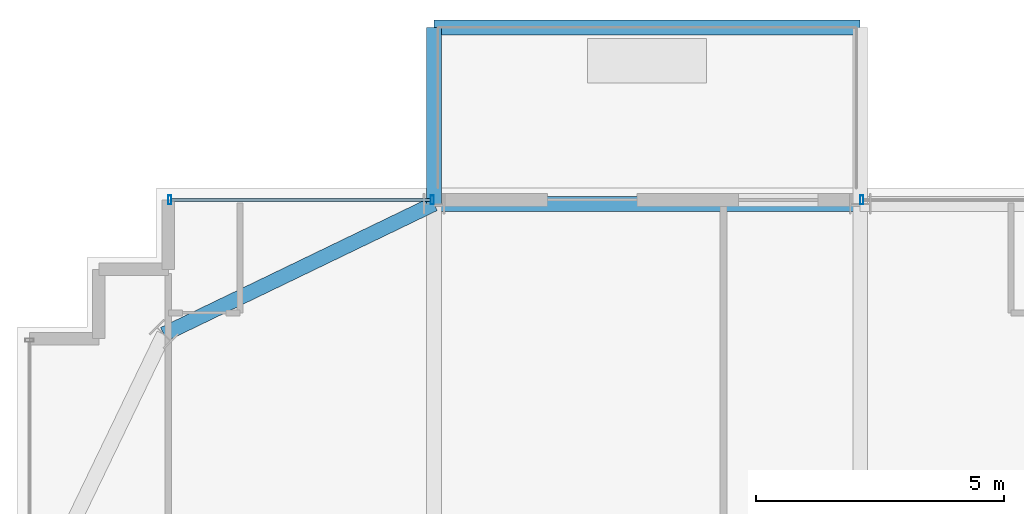
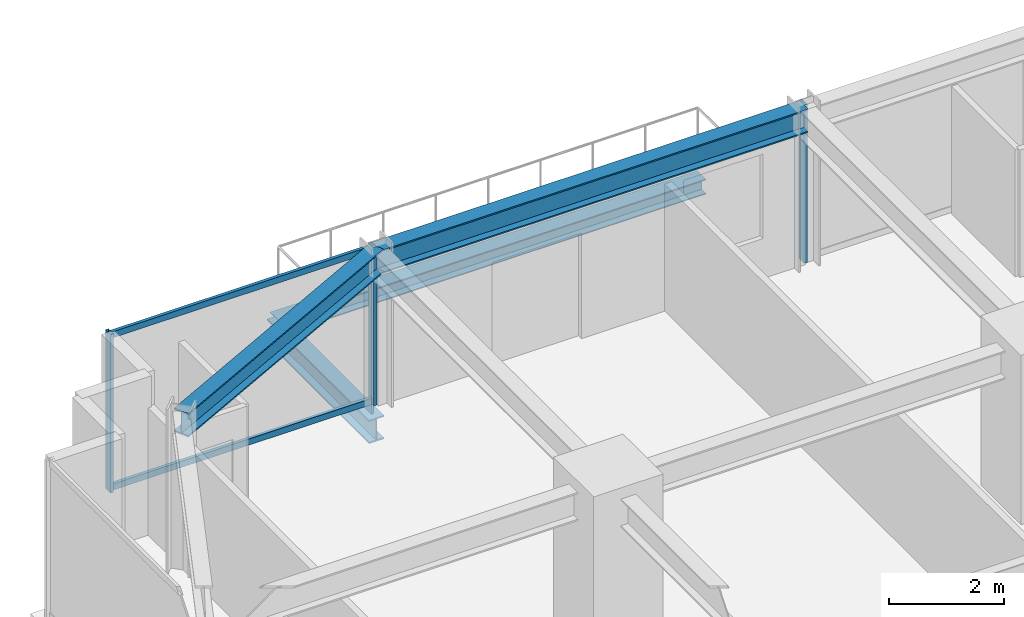
# One storey, part 22 of 36: 5 members, 4 beams, 2 elements without a shape of their own.
"""IFC4 building model written with IfcOpenShell, lengths in metres."""

from ifc_helpers import new_model, si_unit, direction, frame, origin, origin_2d, place, context, subcontext, project, spatial, hollow_rectangle, i_section, extrude, source, transform, mapped, material, material_profile, profile_set, type_object, element, aggregate, save


model = new_model("IFC4")

# Units and contexts
model_context = context("Model", 3, precision=1e-05, world=origin(), true_north=direction((0.0, 1.0)))
body_context = subcontext(model_context, "Body", "Model", "MODEL_VIEW")
ifc_project = project(units=[si_unit("LENGTHUNIT", "METRE"), si_unit("AREAUNIT", "SQUARE_METRE"), si_unit("VOLUMEUNIT", "CUBIC_METRE"), si_unit("PLANEANGLEUNIT", "RADIAN"), si_unit("MASSUNIT", "GRAM", prefix="KILO")], contexts=[model_context])

# Site, building, storey
site_placement = place(None, origin())
site = spatial("IfcSite", under=ifc_project, at=site_placement, CompositionType="ELEMENT")
building_placement = place(site_placement, origin())
building = spatial("IfcBuilding", under=site, at=building_placement, Name="Nahalor Promenade Grand Hotel", CompositionType="ELEMENT")
storey_placement = place(building_placement, frame((0.0, 0.0, 76.199951171875)))
storey = spatial("IfcBuildingStorey", under=building, at=storey_placement, Name="L18", CompositionType="ELEMENT", Elevation=76.199951171875)

# Beams
ifc_material_1 = material(Name="Steel S355JR", Category="steel")
ifc_material_profile_1 = material_profile(ifc_material_1, i_section(OverallWidth=0.3, OverallDepth=0.5, WebThickness=0.0145, FlangeThickness=0.028, at=origin_2d()), Name="HEB 500")
ifc_profile_set_1 = profile_set([ifc_material_profile_1], Name="Steel S355JR")
beam_type_1 = type_object("IfcBeamType", Name="Beam-Outrigger-HEB500", PredefinedType="BEAM", material=ifc_profile_set_1)
shared_shape_1 = source(origin(), body_context, "Body", "SweptSolid", [
    extrude(i_section(OverallWidth=0.3, OverallDepth=0.5, WebThickness=0.0145, FlangeThickness=0.028, at=origin_2d()), origin(), (0.0, 0.0, 1.0), 3.559814453125),
])
beam_1_placement = place(storey_placement, frame((-17.0, 25.080078125, -0.530029296875), z_axis=(0.0, 1.0, 0.0), x_axis=(-1.0, 0.0, 0.0)))
element("IfcBeam", 1, at=beam_1_placement, inside=storey, type_object=beam_type_1, Name="BM-L18-BC-01-1", PredefinedType="BEAM", context=body_context, shape_type="MappedRepresentation", body=[
    mapped(shared_shape_1, transform((0.0, 0.0, 0.0), scale=1.0)),
])
ifc_material_profile_2 = material_profile(ifc_material_1, i_section(OverallWidth=0.3, OverallDepth=0.32, WebThickness=0.0115, FlangeThickness=0.0205, at=origin_2d()), Name="HEB 320")
ifc_profile_set_2 = profile_set([ifc_material_profile_2], Name="Steel S355JR")
beam_type_2 = type_object("IfcBeamType", Name="Beam-BalcEdge-HEB320", PredefinedType="SPANDREL", material=ifc_profile_set_2)
shared_shape_2 = source(origin(), body_context, "Body", "SweptSolid", [
    extrude(i_section(OverallWidth=0.3, OverallDepth=0.32, WebThickness=0.0115, FlangeThickness=0.0205, at=origin_2d()), origin(), (0.0, 0.0, 1.0), 8.60009765625),
])
beam_2_placement = place(storey_placement, frame((-17.0, 28.639892578125, -0.43994140625), z_axis=(1.0, 0.0, 0.0), x_axis=(0.0, 1.0, 0.0)))
element("IfcBeam", 2, at=beam_2_placement, inside=storey, type_object=beam_type_2, Name="BM-L18-BC-01-F", PredefinedType="SPANDREL", context=body_context, shape_type="MappedRepresentation", body=[
    mapped(shared_shape_2, transform((0.0, 0.0, 0.0), scale=1.0)),
])
ifc_material_profile_3 = material_profile(ifc_material_1, i_section(OverallWidth=0.3, OverallDepth=0.5, WebThickness=0.0145, FlangeThickness=0.028, at=origin_2d()), Name="HEB 500")
ifc_profile_set_3 = profile_set([ifc_material_profile_3], Name="Steel S355JR")
beam_type_3 = type_object("IfcBeamType", Name="Beam-Spandrel-HEB500", PredefinedType="SPANDREL", material=ifc_profile_set_3)
shared_shape_3 = source(origin(), body_context, "Body", "SweptSolid", [
    extrude(i_section(OverallWidth=0.3, OverallDepth=0.5, WebThickness=0.0145, FlangeThickness=0.028, at=origin_2d()), origin(), (0.0, 0.0, 1.0), 8.60009765625),
])
beam_3_placement = place(storey_placement, frame((-17.0, 25.080078125, 3.1201171875), z_axis=(1.0, 0.0, 0.0), x_axis=(0.0, 1.0, 0.0)))
element("IfcBeam", 3, at=beam_3_placement, inside=storey, type_object=beam_type_3, Name="BM-L18-SP-N-0", PredefinedType="SPANDREL", context=body_context, shape_type="MappedRepresentation", body=[
    mapped(shared_shape_3, transform((0.0, 0.0, 0.0), scale=1.0)),
])
shared_shape_4 = source(origin(), body_context, "Body", "SweptSolid", [
    extrude(i_section(OverallWidth=0.3, OverallDepth=0.5, WebThickness=0.0145, FlangeThickness=0.028, at=origin_2d()), origin(), (0.0, 0.0, 1.0), 6.051513671875),
])
beam_4_placement = place(storey_placement, frame((-17.0, 25.080078125, 3.1201171875), z_axis=(-0.900608818852, -0.434630596492, 0.0), x_axis=(0.434630596492, -0.900608818852, 0.0)))
element("IfcBeam", 4, at=beam_4_placement, inside=storey, type_object=beam_type_3, Name="BM-L18-SPC-NW-1", PredefinedType="SPANDREL", context=body_context, shape_type="MappedRepresentation", body=[
    mapped(shared_shape_4, transform((0.0, 0.0, 0.0), scale=1.0)),
])

# Curtain wall, members
ifc_material_2 = material(Name="Anodised Bronze Aluminium EN AW-6063 T6", Category="aluminium")
curtain_wall_type = type_object("IfcCurtainWallType", Name="CW2 Typical Hotel Flush Bronze Unitised Curtain Wall", PredefinedType="USERDEFINED", material=ifc_material_2)
curtain_wall_1_placement = place(storey_placement, origin())
curtain_wall_1 = element("IfcCurtainWall", 5, at=curtain_wall_1_placement, inside=storey, type_object=curtain_wall_type, Name="L18 Curtain Wall CW-L18-N-1", ObjectType="UNITISED_CURTAIN_WALL", PredefinedType="USERDEFINED")
ifc_material_profile_4 = material_profile(ifc_material_2, hollow_rectangle(XDim=0.065, YDim=0.18, WallThickness=0.004, at=origin_2d()), Name="CWM 65x180x4")
ifc_profile_set_4 = profile_set([ifc_material_profile_4], Name="Anodised Bronze Aluminium EN AW-6063 T6")
member_type_1 = type_object("IfcMemberType", Name="CWM2 Typical Bronze Mullion 65x180", PredefinedType="MULLION", material=ifc_profile_set_4)
shared_shape_5 = source(origin(), body_context, "Body", "SweptSolid", [
    extrude(hollow_rectangle(XDim=0.065, YDim=0.18, WallThickness=0.004, at=origin_2d()), origin(), (0.0, 0.0, 1.0), 3.3701171875),
])
member_1_placement = place(storey_placement, frame((-22.327392578125, 25.159912109375, 0.0), z_axis=(0.0, 0.0, 1.0), x_axis=(1.0, 0.0, 0.0)))
member_1 = element("IfcMember", 6, at=member_1_placement, type_object=member_type_1, Name="CW-L18-N-1 Mullion 0", PredefinedType="MULLION", context=body_context, shape_type="MappedRepresentation", body=[
    mapped(shared_shape_5, transform((0.0, 0.0, 0.0), scale=1.0)),
])
member_2_placement = place(storey_placement, frame((-17.032470703125, 25.159912109375, 0.0), z_axis=(0.0, 0.0, 1.0), x_axis=(1.0, 0.0, 0.0)))
member_2 = element("IfcMember", 7, at=member_2_placement, type_object=member_type_1, Name="CW-L18-N-1 Mullion 1", PredefinedType="MULLION", context=body_context, shape_type="MappedRepresentation", body=[
    mapped(shared_shape_5, transform((0.0, 0.0, 0.0), scale=1.0)),
])

# Curtain wall, member
curtain_wall_2_placement = place(storey_placement, origin())
curtain_wall_2 = element("IfcCurtainWall", 8, at=curtain_wall_2_placement, inside=storey, type_object=curtain_wall_type, Name="L18 Curtain Wall CW-L18-N-3", ObjectType="UNITISED_CURTAIN_WALL", PredefinedType="USERDEFINED")
member_3_placement = place(storey_placement, frame((-8.367431640625, 25.159912109375, 0.0), z_axis=(0.0, 0.0, 1.0), x_axis=(1.0, 0.0, 0.0)))
member_3 = element("IfcMember", 9, at=member_3_placement, type_object=member_type_1, Name="CW-L18-N-3 Mullion 0", PredefinedType="MULLION", context=body_context, shape_type="MappedRepresentation", body=[
    mapped(shared_shape_5, transform((0.0, 0.0, 0.0), scale=1.0)),
])
aggregate(curtain_wall_2, [member_3])

# Member
ifc_material_profile_5 = material_profile(ifc_material_2, hollow_rectangle(XDim=0.065, YDim=0.13, WallThickness=0.004, at=origin_2d()), Name="CWT 65x130x4")
ifc_profile_set_5 = profile_set([ifc_material_profile_5], Name="Anodised Bronze Aluminium EN AW-6063 T6")
member_type_2 = type_object("IfcMemberType", Name="CWT2 Typical Bronze Transom 65x130", PredefinedType="USERDEFINED", material=ifc_profile_set_5)
shared_shape_6 = source(origin(), body_context, "Body", "SweptSolid", [
    extrude(hollow_rectangle(XDim=0.065, YDim=0.13, WallThickness=0.004, at=origin_2d()), origin(), (0.0, 0.0, 1.0), 5.22998046875),
])
member_4_placement = place(storey_placement, frame((-22.294921875, 25.159912109375, 0.06494140625), z_axis=(1.0, 0.0, 0.0), x_axis=(0.0, 1.0, 0.0)))
member_4 = element("IfcMember", 10, at=member_4_placement, type_object=member_type_2, Name="CW-L18-N-1 Transom 0-0", ObjectType="TRANSOM", PredefinedType="USERDEFINED", context=body_context, shape_type="MappedRepresentation", body=[
    mapped(shared_shape_6, transform((0.0, 0.0, 0.0), scale=1.0)),
])

member_5_placement = place(storey_placement, frame((-22.294921875, 25.159912109375, 3.304931640625), z_axis=(1.0, 0.0, 0.0), x_axis=(0.0, 1.0, 0.0)))
member_5 = element("IfcMember", 11, at=member_5_placement, type_object=member_type_2, Name="CW-L18-N-1 Transom 0-1", ObjectType="TRANSOM", PredefinedType="USERDEFINED", context=body_context, shape_type="MappedRepresentation", body=[
    mapped(shared_shape_6, transform((0.0, 0.0, 0.0), scale=1.0)),
])

aggregate(curtain_wall_1, [member_1, member_2, member_4, member_5])

save(model, "model.ifc")
